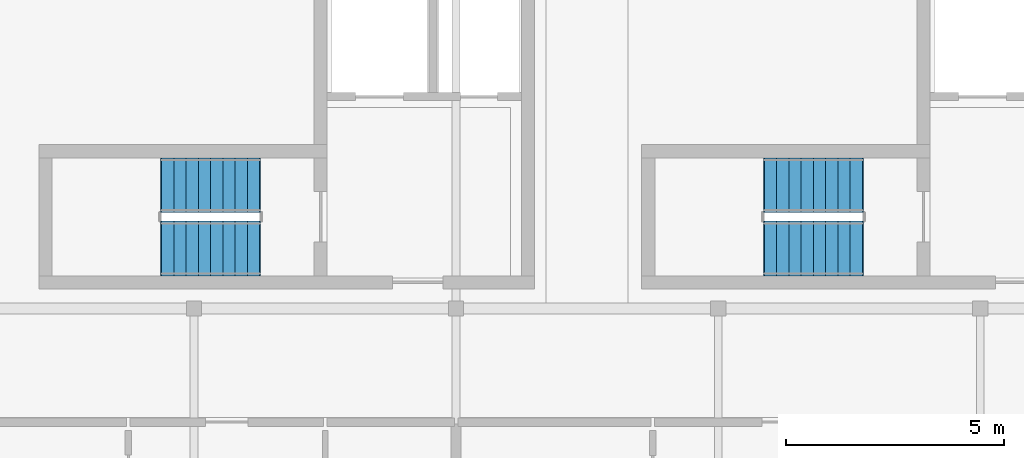
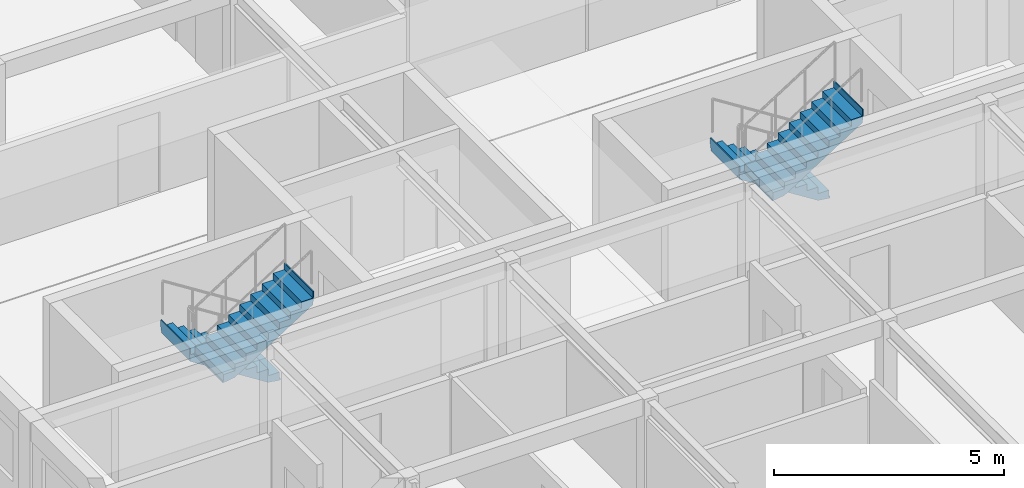
# One storey, part 6 of 7: 4 stair flights, 2 elements without a shape of their own.
"""IFC4 building model written with IfcOpenShell, lengths in metres."""

from ifc_helpers import new_model, si_unit, direction, frame, origin, place, context, subcontext, project, spatial, polyline, outline, extrude, material, type_object, element, aggregate, save


model = new_model("IFC4")

# Units and contexts
model_context = context("Model", 3, precision=1e-05, world=origin(), true_north=direction((0.0, 1.0)))
body_context = subcontext(model_context, "Body", "Model", "MODEL_VIEW")
ifc_project = project(units=[si_unit("LENGTHUNIT", "METRE"), si_unit("AREAUNIT", "SQUARE_METRE"), si_unit("VOLUMEUNIT", "CUBIC_METRE"), si_unit("PLANEANGLEUNIT", "RADIAN"), si_unit("MASSUNIT", "GRAM", prefix="KILO"), si_unit("POWERUNIT", "WATT"), si_unit("THERMODYNAMICTEMPERATUREUNIT", "KELVIN")], contexts=[model_context])

# Site, building, storey
site_placement = place(None, origin())
site = spatial("IfcSite", under=ifc_project, at=site_placement, CompositionType="ELEMENT")
building_placement = place(site_placement, origin())
building = spatial("IfcBuilding", under=site, at=building_placement, Name="Ruvembo Vaulted Housing Court", CompositionType="ELEMENT")
storey_placement = place(building_placement, frame((0.0, 0.0, 42.89990234375)))
storey = spatial("IfcBuildingStorey", under=building, at=storey_placement, Name="L13", CompositionType="ELEMENT", Elevation=42.89990234375)

# Stair, stair flights
ifc_material = material(Name="Concrete C35/45", Category="concrete")
stair_type = type_object("IfcStairType", Name="STR-CORE-1250", PredefinedType="HALF_TURN_STAIR", material=ifc_material)
stair_1_placement = place(storey_placement, origin())
stair_1 = element("IfcStair", 1, at=stair_1_placement, inside=storey, type_object=stair_type, Name="L13 Protected Exit Stair ST-A1", PredefinedType="HALF_TURN_STAIR")
stair_flight_type = type_object("IfcStairFlightType", Name="SFL-1250", PredefinedType="STRAIGHT", material=ifc_material)
stair_flight_1_placement = place(storey_placement, frame((7.5, 20.824951171875, 0.0), z_axis=(0.0, 0.0, 1.0), x_axis=(-1.0, 0.0, 0.0)))
stair_flight_1 = element("IfcStairFlight", 2, at=stair_flight_1_placement, type_object=stair_flight_type, Name="ST-A1 flight 1", NumberOfRisers=9, NumberOfTreads=8, PredefinedType="STRAIGHT", RiserHeight=0.177777778, TreadLength=0.28, context=body_context, shape_type="SweptSolid", body=[
    extrude(outline(polyline([(-0.02490234375, -0.0400390625), (-0.02490234375, 0.0), (0.0, 0.0), (0.0, 0.177734375), (0.280029296875, 0.177734375), (0.280029296875, 0.35546875), (0.56005859375, 0.35546875), (0.56005859375, 0.533447265625), (0.840087890625, 0.533447265625), (0.840087890625, 0.711181640625), (1.1201171875, 0.711181640625), (1.1201171875, 0.888916015625), (1.39990234375, 0.888916015625), (1.39990234375, 1.066650390625), (1.679931640625, 1.066650390625), (1.679931640625, 1.244384765625), (1.9599609375, 1.244384765625), (1.9599609375, 1.422119140625), (2.239990234375, 1.422119140625), (2.239990234375, 1.60009765625), (2.264892578125, 1.60009765625), (2.264892578125, 1.4501953125), (2.239990234375, 1.24462890625), (0.27978515625, 0.0), (0.0, -0.0400390625), (-0.02490234375, -0.0400390625)])), frame((0.0, 0.625, 0.0), z_axis=(0.0, -1.0, 0.0), x_axis=(1.0, 0.0, 0.0)), (0.0, 0.0, 1.0), 1.25),
])
stair_flight_2_placement = place(storey_placement, frame((5.260009765625, 19.375, 1.60009765625), z_axis=(0.0, 0.0, 1.0), x_axis=(1.0, 0.0, 0.0)))
stair_flight_2 = element("IfcStairFlight", 3, at=stair_flight_2_placement, type_object=stair_flight_type, Name="ST-A1 flight 2", NumberOfRisers=9, NumberOfTreads=8, PredefinedType="STRAIGHT", RiserHeight=0.177777778, TreadLength=0.28, context=body_context, shape_type="SweptSolid", body=[
    extrude(outline(polyline([(-0.02490234375, -0.0400390625), (-0.02490234375, 0.0), (0.0, 0.0), (0.0, 0.177734375), (0.280029296875, 0.177734375), (0.280029296875, 0.35546875), (0.56005859375, 0.35546875), (0.56005859375, 0.533447265625), (0.840087890625, 0.533447265625), (0.840087890625, 0.711181640625), (1.1201171875, 0.711181640625), (1.1201171875, 0.888916015625), (1.39990234375, 0.888916015625), (1.39990234375, 1.066650390625), (1.679931640625, 1.066650390625), (1.679931640625, 1.244384765625), (1.9599609375, 1.244384765625), (1.9599609375, 1.422119140625), (2.239990234375, 1.422119140625), (2.239990234375, 1.60009765625), (2.264892578125, 1.60009765625), (2.264892578125, 1.4501953125), (2.239990234375, 1.24462890625), (0.27978515625, 0.0), (0.0, -0.0400390625), (-0.02490234375, -0.0400390625)])), frame((0.0, 0.625, 0.0), z_axis=(0.0, -1.0, 0.0), x_axis=(1.0, 0.0, 0.0)), (0.0, 0.0, 1.0), 1.25),
])
aggregate(stair_1, [stair_flight_1, stair_flight_2])

stair_2_placement = place(storey_placement, origin())
stair_2 = element("IfcStair", 4, at=stair_2_placement, inside=storey, type_object=stair_type, Name="L13 Protected Exit Stair ST-A2", PredefinedType="HALF_TURN_STAIR")
stair_flight_3_placement = place(storey_placement, frame((21.300048828125, 20.824951171875, 0.0), z_axis=(0.0, 0.0, 1.0), x_axis=(-1.0, 0.0, 0.0)))
stair_flight_3 = element("IfcStairFlight", 5, at=stair_flight_3_placement, type_object=stair_flight_type, Name="ST-A2 flight 1", NumberOfRisers=9, NumberOfTreads=8, PredefinedType="STRAIGHT", RiserHeight=0.177777778, TreadLength=0.28, context=body_context, shape_type="SweptSolid", body=[
    extrude(outline(polyline([(-0.02490234375, -0.0400390625), (-0.02490234375, 0.0), (0.0, 0.0), (0.0, 0.177734375), (0.280029296875, 0.177734375), (0.280029296875, 0.35546875), (0.56005859375, 0.35546875), (0.56005859375, 0.533447265625), (0.840087890625, 0.533447265625), (0.840087890625, 0.711181640625), (1.1201171875, 0.711181640625), (1.1201171875, 0.888916015625), (1.39990234375, 0.888916015625), (1.39990234375, 1.066650390625), (1.679931640625, 1.066650390625), (1.679931640625, 1.244384765625), (1.9599609375, 1.244384765625), (1.9599609375, 1.422119140625), (2.239990234375, 1.422119140625), (2.239990234375, 1.60009765625), (2.264892578125, 1.60009765625), (2.264892578125, 1.4501953125), (2.239990234375, 1.24462890625), (0.27978515625, 0.0), (0.0, -0.0400390625), (-0.02490234375, -0.0400390625)])), frame((0.0, 0.625, 0.0), z_axis=(0.0, -1.0, 0.0), x_axis=(1.0, 0.0, 0.0)), (0.0, 0.0, 1.0), 1.25),
])
stair_flight_4_placement = place(storey_placement, frame((19.06005859375, 19.375, 1.60009765625), z_axis=(0.0, 0.0, 1.0), x_axis=(1.0, 0.0, 0.0)))
stair_flight_4 = element("IfcStairFlight", 6, at=stair_flight_4_placement, type_object=stair_flight_type, Name="ST-A2 flight 2", NumberOfRisers=9, NumberOfTreads=8, PredefinedType="STRAIGHT", RiserHeight=0.177777778, TreadLength=0.28, context=body_context, shape_type="SweptSolid", body=[
    extrude(outline(polyline([(-0.02490234375, -0.0400390625), (-0.02490234375, 0.0), (0.0, 0.0), (0.0, 0.177734375), (0.280029296875, 0.177734375), (0.280029296875, 0.35546875), (0.56005859375, 0.35546875), (0.56005859375, 0.533447265625), (0.840087890625, 0.533447265625), (0.840087890625, 0.711181640625), (1.1201171875, 0.711181640625), (1.1201171875, 0.888916015625), (1.39990234375, 0.888916015625), (1.39990234375, 1.066650390625), (1.679931640625, 1.066650390625), (1.679931640625, 1.244384765625), (1.9599609375, 1.244384765625), (1.9599609375, 1.422119140625), (2.239990234375, 1.422119140625), (2.239990234375, 1.60009765625), (2.264892578125, 1.60009765625), (2.264892578125, 1.4501953125), (2.239990234375, 1.24462890625), (0.27978515625, 0.0), (0.0, -0.0400390625), (-0.02490234375, -0.0400390625)])), frame((0.0, 0.625, 0.0), z_axis=(0.0, -1.0, 0.0), x_axis=(1.0, 0.0, 0.0)), (0.0, 0.0, 1.0), 1.25),
])
aggregate(stair_2, [stair_flight_3, stair_flight_4])

save(model, "model.ifc")
